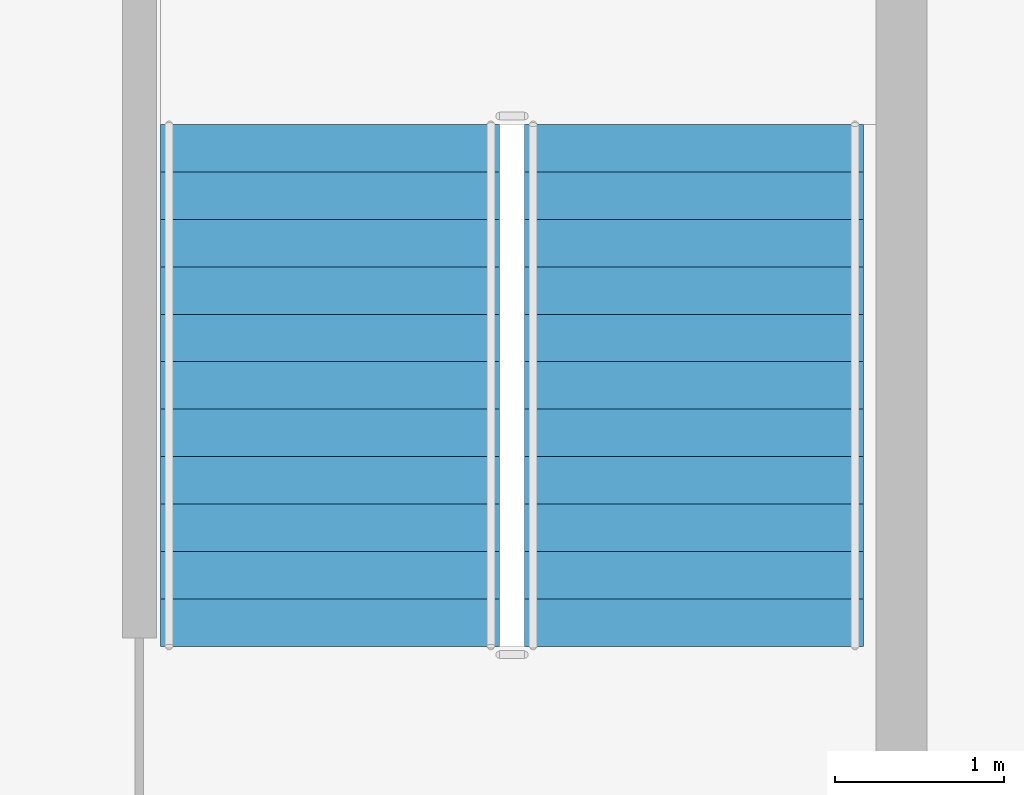
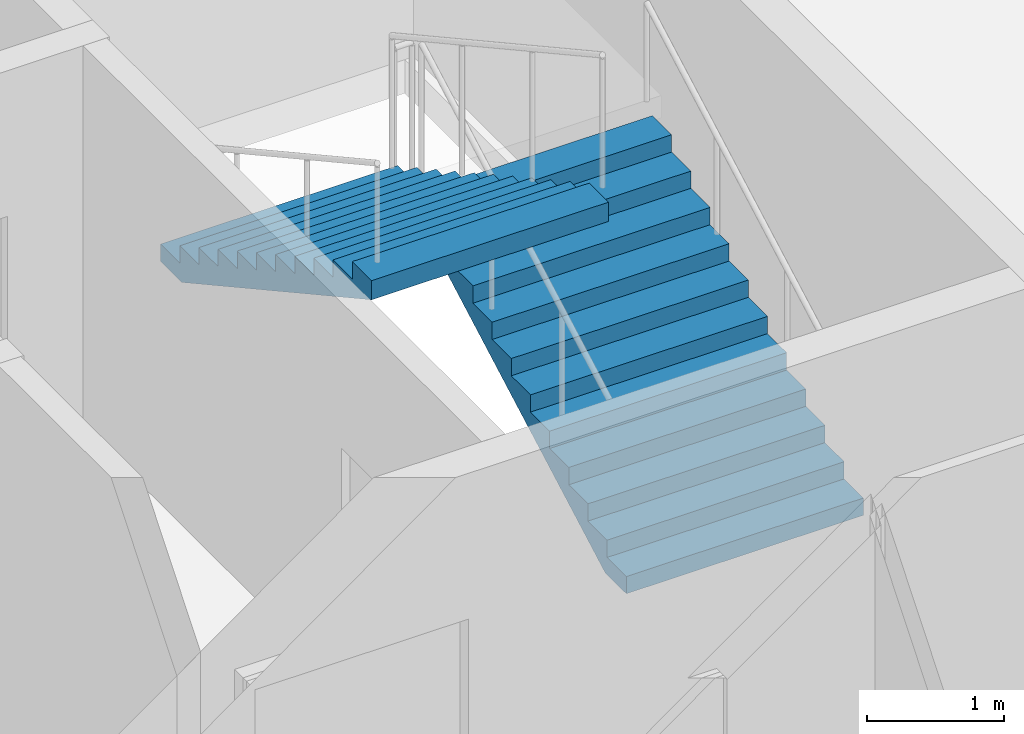
# One storey, part 7 of 10: 2 stair flights, 1 element without a shape of its own.
"""IFC4 building model written with IfcOpenShell, lengths in metres."""

from ifc_helpers import new_model, si_unit, direction, frame, origin, place, context, subcontext, project, spatial, polygons, material, type_object, element, aggregate, save


model = new_model("IFC4")

# Units and contexts
model_context = context("Model", 3, precision=1e-05, world=origin(), true_north=direction((0.0, 1.0)))
body_context = subcontext(model_context, "Body", "Model", "MODEL_VIEW")
ifc_project = project(units=[si_unit("LENGTHUNIT", "METRE"), si_unit("AREAUNIT", "SQUARE_METRE"), si_unit("VOLUMEUNIT", "CUBIC_METRE"), si_unit("PLANEANGLEUNIT", "RADIAN"), si_unit("MASSUNIT", "GRAM", prefix="KILO")], contexts=[model_context])

# Site, building, storey
site_placement = place(None, origin())
site = spatial("IfcSite", under=ifc_project, at=site_placement, CompositionType="ELEMENT")
building_placement = place(site_placement, origin())
building = spatial("IfcBuilding", under=site, at=building_placement, Name="Caravel Reach Hotel and Residences", CompositionType="ELEMENT")
storey_placement = place(building_placement, frame((0.0, 0.0, 290.800048828125)))
storey = spatial("IfcBuildingStorey", under=building, at=storey_placement, Name="L74", CompositionType="ELEMENT", Elevation=290.800048828125)

# Stair, stair flights
ifc_material_1 = material(Name="Concrete C40", Category="concrete")
stair_type = type_object("IfcStairType", Name="Core stair", PredefinedType="HALF_TURN_STAIR", material=ifc_material_1)
stair_placement = place(storey_placement, origin())
stair = element("IfcStair", 1, at=stair_placement, inside=storey, type_object=stair_type, Name="L74 Exit stair B", PredefinedType="HALF_TURN_STAIR")
ifc_material_2 = material(Name="Concrete C40", Category="concrete")
stair_flight_type = type_object("IfcStairFlightType", Name="Core stair flight", PredefinedType="STRAIGHT", material=ifc_material_2)
stair_flight_1_placement = place(storey_placement, frame((43.77490234375, 24.64990234375, 0.0), z_axis=(0.0, 0.0, 1.0), x_axis=(0.0, 1.0, 0.0)))
stair_flight_1 = element("IfcStairFlight", 2, at=stair_flight_1_placement, type_object=stair_flight_type, Name="ST-B flight 1", NumberOfRisers=12, NumberOfTreads=11, PredefinedType="STRAIGHT", RiserHeight=0.154166667, TreadLength=0.28, context=body_context, shape_type="Tessellation", body=[
    polygons([(0.3107950034306102, 1.0, 0.0), (0.3107950034306102, 0.6666666666666667, 0.0), (0.3107950034306102, 0.33333333333333337, 0.0), (0.3107950034306102, 0.0, 0.0), (0.3107950034306102, -0.33333333333333326, 0.0), (0.3107950034306102, -0.6666666666666667, 0.0), (0.3107950034306102, -1.0, 0.0), (3.081, 1.0, 1.524711087717319), (3.081, 0.6666666666666667, 1.524711087717319), (3.081, 0.33333333333333337, 1.524711087717319), (3.081, 0.0, 1.524711087717319), (3.081, -0.33333333333333326, 1.524711087717319), (3.081, -0.6666666666666667, 1.524711087717319), (3.081, -1.0, 1.524711087717319), (3.081, 1.0, 1.695833337), (3.081, 0.6666666666666667, 1.695833337), (3.081, 0.33333333333333337, 1.695833337), (3.081, 0.0, 1.695833337), (3.081, -0.33333333333333326, 1.695833337), (3.081, -0.6666666666666667, 1.695833337), (3.081, -1.0, 1.695833337), (2.8000000000000003, 1.0, 1.695833337), (2.8000000000000003, 0.6666666666666667, 1.695833337), (2.8000000000000003, 0.33333333333333337, 1.695833337), (2.8000000000000003, 0.0, 1.695833337), (2.8000000000000003, -0.33333333333333326, 1.695833337), (2.8000000000000003, -0.6666666666666667, 1.695833337), (2.8000000000000003, -1.0, 1.695833337), (2.8000000000000003, 1.0, 1.5416666700000001), (2.8000000000000003, 0.6666666666666667, 1.5416666700000001), (2.8000000000000003, 0.33333333333333337, 1.5416666700000001), (2.8000000000000003, 0.0, 1.5416666700000001), (2.8000000000000003, -0.33333333333333326, 1.5416666700000001), (2.8000000000000003, -0.6666666666666667, 1.5416666700000001), (2.8000000000000003, -1.0, 1.5416666700000001), (2.5200000000000005, 1.0, 1.5416666700000001), (2.5200000000000005, 0.6666666666666667, 1.5416666700000001), (2.5200000000000005, 0.33333333333333337, 1.5416666700000001), (2.5200000000000005, 0.0, 1.5416666700000001), (2.5200000000000005, -0.33333333333333326, 1.5416666700000001), (2.5200000000000005, -0.6666666666666667, 1.5416666700000001), (2.5200000000000005, -1.0, 1.5416666700000001), (2.5200000000000005, 1.0, 1.387500003), (2.5200000000000005, 0.6666666666666667, 1.387500003), (2.5200000000000005, 0.33333333333333337, 1.387500003), (2.5200000000000005, 0.0, 1.387500003), (2.5200000000000005, -0.33333333333333326, 1.387500003), (2.5200000000000005, -0.6666666666666667, 1.387500003), (2.5200000000000005, -1.0, 1.387500003), (2.24, 1.0, 1.387500003), (2.24, 0.6666666666666667, 1.387500003), (2.24, 0.33333333333333337, 1.387500003), (2.24, 0.0, 1.387500003), (2.24, -0.33333333333333326, 1.387500003), (2.24, -0.6666666666666667, 1.387500003), (2.24, -1.0, 1.387500003), (2.24, 1.0, 1.233333336), (2.24, 0.6666666666666667, 1.233333336), (2.24, 0.33333333333333337, 1.233333336), (2.24, 0.0, 1.233333336), (2.24, -0.33333333333333326, 1.233333336), (2.24, -0.6666666666666667, 1.233333336), (2.24, -1.0, 1.233333336), (1.9600000000000002, 1.0, 1.233333336), (1.9600000000000002, 0.6666666666666667, 1.233333336), (1.9600000000000002, 0.33333333333333337, 1.233333336), (1.9600000000000002, 0.0, 1.233333336), (1.9600000000000002, -0.33333333333333326, 1.233333336), (1.9600000000000002, -0.6666666666666667, 1.233333336), (1.9600000000000002, -1.0, 1.233333336), (1.9600000000000002, 1.0, 1.0791666690000001), (1.9600000000000002, 0.6666666666666667, 1.0791666690000001), (1.9600000000000002, 0.33333333333333337, 1.0791666690000001), (1.9600000000000002, 0.0, 1.0791666690000001), (1.9600000000000002, -0.33333333333333326, 1.0791666690000001), (1.9600000000000002, -0.6666666666666667, 1.0791666690000001), (1.9600000000000002, -1.0, 1.0791666690000001), (1.6800000000000002, 1.0, 1.0791666690000001), (1.6800000000000002, 0.6666666666666667, 1.0791666690000001), (1.6800000000000002, 0.33333333333333337, 1.0791666690000001), (1.6800000000000002, 0.0, 1.0791666690000001), (1.6800000000000002, -0.33333333333333326, 1.0791666690000001), (1.6800000000000002, -0.6666666666666667, 1.0791666690000001), (1.6800000000000002, -1.0, 1.0791666690000001), (1.6800000000000002, 1.0, 0.925000002), (1.6800000000000002, 0.6666666666666667, 0.925000002), (1.6800000000000002, 0.33333333333333337, 0.925000002), (1.6800000000000002, 0.0, 0.925000002), (1.6800000000000002, -0.33333333333333326, 0.925000002), (1.6800000000000002, -0.6666666666666667, 0.925000002), (1.6800000000000002, -1.0, 0.925000002), (1.4000000000000001, 1.0, 0.925000002), (1.4000000000000001, 0.6666666666666667, 0.925000002), (1.4000000000000001, 0.33333333333333337, 0.925000002), (1.4000000000000001, 0.0, 0.925000002), (1.4000000000000001, -0.33333333333333326, 0.925000002), (1.4000000000000001, -0.6666666666666667, 0.925000002), (1.4000000000000001, -1.0, 0.925000002), (1.4000000000000001, 1.0, 0.7708333350000001), (1.4000000000000001, 0.6666666666666667, 0.7708333350000001), (1.4000000000000001, 0.33333333333333337, 0.7708333350000001), (1.4000000000000001, 0.0, 0.7708333350000001), (1.4000000000000001, -0.33333333333333326, 0.7708333350000001), (1.4000000000000001, -0.6666666666666667, 0.7708333350000001), (1.4000000000000001, -1.0, 0.7708333350000001), (1.12, 1.0, 0.7708333350000001), (1.12, 0.6666666666666667, 0.7708333350000001), (1.12, 0.33333333333333337, 0.7708333350000001), (1.12, 0.0, 0.7708333350000001), (1.12, -0.33333333333333326, 0.7708333350000001), (1.12, -0.6666666666666667, 0.7708333350000001), (1.12, -1.0, 0.7708333350000001), (1.12, 1.0, 0.616666668), (1.12, 0.6666666666666667, 0.616666668), (1.12, 0.33333333333333337, 0.616666668), (1.12, 0.0, 0.616666668), (1.12, -0.33333333333333326, 0.616666668), (1.12, -0.6666666666666667, 0.616666668), (1.12, -1.0, 0.616666668), (0.8400000000000001, 1.0, 0.616666668), (0.8400000000000001, 0.6666666666666667, 0.616666668), (0.8400000000000001, 0.33333333333333337, 0.616666668), (0.8400000000000001, 0.0, 0.616666668), (0.8400000000000001, -0.33333333333333326, 0.616666668), (0.8400000000000001, -0.6666666666666667, 0.616666668), (0.8400000000000001, -1.0, 0.616666668), (0.8400000000000001, 1.0, 0.462500001), (0.8400000000000001, 0.6666666666666667, 0.462500001), (0.8400000000000001, 0.33333333333333337, 0.462500001), (0.8400000000000001, 0.0, 0.462500001), (0.8400000000000001, -0.33333333333333326, 0.462500001), (0.8400000000000001, -0.6666666666666667, 0.462500001), (0.8400000000000001, -1.0, 0.462500001), (0.56, 1.0, 0.462500001), (0.56, 0.6666666666666667, 0.462500001), (0.56, 0.33333333333333337, 0.462500001), (0.56, 0.0, 0.462500001), (0.56, -0.33333333333333326, 0.462500001), (0.56, -0.6666666666666667, 0.462500001), (0.56, -1.0, 0.462500001), (0.56, 1.0, 0.308333334), (0.56, 0.6666666666666667, 0.308333334), (0.56, 0.33333333333333337, 0.308333334), (0.56, 0.0, 0.308333334), (0.56, -0.33333333333333326, 0.308333334), (0.56, -0.6666666666666667, 0.308333334), (0.56, -1.0, 0.308333334), (0.28, 1.0, 0.308333334), (0.28, 0.6666666666666667, 0.308333334), (0.28, 0.33333333333333337, 0.308333334), (0.28, 0.0, 0.308333334), (0.28, -0.33333333333333326, 0.308333334), (0.28, -0.6666666666666667, 0.308333334), (0.28, -1.0, 0.308333334), (0.28, 1.0, 0.154166667), (0.28, 0.6666666666666667, 0.154166667), (0.28, 0.33333333333333337, 0.154166667), (0.28, 0.0, 0.154166667), (0.28, -0.33333333333333326, 0.154166667), (0.28, -0.6666666666666667, 0.154166667), (0.28, -1.0, 0.154166667), (-0.001, 1.0, 0.154166667), (-0.001, 0.6666666666666667, 0.154166667), (-0.001, 0.33333333333333337, 0.154166667), (-0.001, 0.0, 0.154166667), (-0.001, -0.33333333333333326, 0.154166667), (-0.001, -0.6666666666666667, 0.154166667), (-0.001, -1.0, 0.154166667), (-0.001, 1.0, 0.0), (-0.001, 0.6666666666666667, 0.0), (-0.001, 0.33333333333333337, 0.0), (-0.001, 0.0, 0.0), (-0.001, -0.33333333333333326, 0.0), (-0.001, -0.6666666666666667, 0.0), (-0.001, -1.0, 0.0)], [[[169, 162, 155, 148, 141, 134, 127, 120, 113, 106, 99, 92, 85, 78, 71, 64, 57, 50, 43, 36, 29, 22, 15, 8, 1]], [[7, 14, 21, 28, 35, 42, 49, 56, 63, 70, 77, 84, 91, 98, 105, 112, 119, 126, 133, 140, 147, 154, 161, 168, 175]], [[1, 8, 9, 2]], [[2, 9, 10, 3]], [[3, 10, 11, 4]], [[4, 11, 12, 5]], [[5, 12, 13, 6]], [[6, 13, 14, 7]], [[8, 15, 16, 9]], [[9, 16, 17, 10]], [[10, 17, 18, 11]], [[11, 18, 19, 12]], [[12, 19, 20, 13]], [[13, 20, 21, 14]], [[15, 22, 23, 16]], [[16, 23, 24, 17]], [[17, 24, 25, 18]], [[18, 25, 26, 19]], [[19, 26, 27, 20]], [[20, 27, 28, 21]], [[22, 29, 30, 23]], [[23, 30, 31, 24]], [[24, 31, 32, 25]], [[25, 32, 33, 26]], [[26, 33, 34, 27]], [[27, 34, 35, 28]], [[29, 36, 37, 30]], [[30, 37, 38, 31]], [[31, 38, 39, 32]], [[32, 39, 40, 33]], [[33, 40, 41, 34]], [[34, 41, 42, 35]], [[36, 43, 44, 37]], [[37, 44, 45, 38]], [[38, 45, 46, 39]], [[39, 46, 47, 40]], [[40, 47, 48, 41]], [[41, 48, 49, 42]], [[43, 50, 51, 44]], [[44, 51, 52, 45]], [[45, 52, 53, 46]], [[46, 53, 54, 47]], [[47, 54, 55, 48]], [[48, 55, 56, 49]], [[50, 57, 58, 51]], [[51, 58, 59, 52]], [[52, 59, 60, 53]], [[53, 60, 61, 54]], [[54, 61, 62, 55]], [[55, 62, 63, 56]], [[57, 64, 65, 58]], [[58, 65, 66, 59]], [[59, 66, 67, 60]], [[60, 67, 68, 61]], [[61, 68, 69, 62]], [[62, 69, 70, 63]], [[64, 71, 72, 65]], [[65, 72, 73, 66]], [[66, 73, 74, 67]], [[67, 74, 75, 68]], [[68, 75, 76, 69]], [[69, 76, 77, 70]], [[71, 78, 79, 72]], [[72, 79, 80, 73]], [[73, 80, 81, 74]], [[74, 81, 82, 75]], [[75, 82, 83, 76]], [[76, 83, 84, 77]], [[78, 85, 86, 79]], [[79, 86, 87, 80]], [[80, 87, 88, 81]], [[81, 88, 89, 82]], [[82, 89, 90, 83]], [[83, 90, 91, 84]], [[85, 92, 93, 86]], [[86, 93, 94, 87]], [[87, 94, 95, 88]], [[88, 95, 96, 89]], [[89, 96, 97, 90]], [[90, 97, 98, 91]], [[92, 99, 100, 93]], [[93, 100, 101, 94]], [[94, 101, 102, 95]], [[95, 102, 103, 96]], [[96, 103, 104, 97]], [[97, 104, 105, 98]], [[99, 106, 107, 100]], [[100, 107, 108, 101]], [[101, 108, 109, 102]], [[102, 109, 110, 103]], [[103, 110, 111, 104]], [[104, 111, 112, 105]], [[106, 113, 114, 107]], [[107, 114, 115, 108]], [[108, 115, 116, 109]], [[109, 116, 117, 110]], [[110, 117, 118, 111]], [[111, 118, 119, 112]], [[113, 120, 121, 114]], [[114, 121, 122, 115]], [[115, 122, 123, 116]], [[116, 123, 124, 117]], [[117, 124, 125, 118]], [[118, 125, 126, 119]], [[120, 127, 128, 121]], [[121, 128, 129, 122]], [[122, 129, 130, 123]], [[123, 130, 131, 124]], [[124, 131, 132, 125]], [[125, 132, 133, 126]], [[127, 134, 135, 128]], [[128, 135, 136, 129]], [[129, 136, 137, 130]], [[130, 137, 138, 131]], [[131, 138, 139, 132]], [[132, 139, 140, 133]], [[134, 141, 142, 135]], [[135, 142, 143, 136]], [[136, 143, 144, 137]], [[137, 144, 145, 138]], [[138, 145, 146, 139]], [[139, 146, 147, 140]], [[141, 148, 149, 142]], [[142, 149, 150, 143]], [[143, 150, 151, 144]], [[144, 151, 152, 145]], [[145, 152, 153, 146]], [[146, 153, 154, 147]], [[148, 155, 156, 149]], [[149, 156, 157, 150]], [[150, 157, 158, 151]], [[151, 158, 159, 152]], [[152, 159, 160, 153]], [[153, 160, 161, 154]], [[155, 162, 163, 156]], [[156, 163, 164, 157]], [[157, 164, 165, 158]], [[158, 165, 166, 159]], [[159, 166, 167, 160]], [[160, 167, 168, 161]], [[162, 169, 170, 163]], [[163, 170, 171, 164]], [[164, 171, 172, 165]], [[165, 172, 173, 166]], [[166, 173, 174, 167]], [[167, 174, 175, 168]], [[169, 1, 2, 170]], [[170, 2, 3, 171]], [[171, 3, 4, 172]], [[172, 4, 5, 173]], [[173, 5, 6, 174]], [[174, 6, 7, 175]]], closed=True),
])
stair_flight_2_placement = place(storey_placement, frame((41.625, 27.72998046875, 1.849853515625), z_axis=(0.0, 0.0, 1.0), x_axis=(0.0, -1.0, 0.0)))
stair_flight_2 = element("IfcStairFlight", 3, at=stair_flight_2_placement, type_object=stair_flight_type, Name="ST-B flight 2", NumberOfRisers=12, NumberOfTreads=11, PredefinedType="STRAIGHT", RiserHeight=0.154166667, TreadLength=0.28, context=body_context, shape_type="Tessellation", body=[
    polygons([(0.3107950034306102, 1.0, 0.0), (0.3107950034306102, 0.6666666666666667, 0.0), (0.3107950034306102, 0.33333333333333337, 0.0), (0.3107950034306102, 0.0, 0.0), (0.3107950034306102, -0.33333333333333326, 0.0), (0.3107950034306102, -0.6666666666666667, 0.0), (0.3107950034306102, -1.0, 0.0), (3.081, 1.0, 1.524711087717319), (3.081, 0.6666666666666667, 1.524711087717319), (3.081, 0.33333333333333337, 1.524711087717319), (3.081, 0.0, 1.524711087717319), (3.081, -0.33333333333333326, 1.524711087717319), (3.081, -0.6666666666666667, 1.524711087717319), (3.081, -1.0, 1.524711087717319), (3.081, 1.0, 1.695833337), (3.081, 0.6666666666666667, 1.695833337), (3.081, 0.33333333333333337, 1.695833337), (3.081, 0.0, 1.695833337), (3.081, -0.33333333333333326, 1.695833337), (3.081, -0.6666666666666667, 1.695833337), (3.081, -1.0, 1.695833337), (2.8000000000000003, 1.0, 1.695833337), (2.8000000000000003, 0.6666666666666667, 1.695833337), (2.8000000000000003, 0.33333333333333337, 1.695833337), (2.8000000000000003, 0.0, 1.695833337), (2.8000000000000003, -0.33333333333333326, 1.695833337), (2.8000000000000003, -0.6666666666666667, 1.695833337), (2.8000000000000003, -1.0, 1.695833337), (2.8000000000000003, 1.0, 1.5416666700000001), (2.8000000000000003, 0.6666666666666667, 1.5416666700000001), (2.8000000000000003, 0.33333333333333337, 1.5416666700000001), (2.8000000000000003, 0.0, 1.5416666700000001), (2.8000000000000003, -0.33333333333333326, 1.5416666700000001), (2.8000000000000003, -0.6666666666666667, 1.5416666700000001), (2.8000000000000003, -1.0, 1.5416666700000001), (2.5200000000000005, 1.0, 1.5416666700000001), (2.5200000000000005, 0.6666666666666667, 1.5416666700000001), (2.5200000000000005, 0.33333333333333337, 1.5416666700000001), (2.5200000000000005, 0.0, 1.5416666700000001), (2.5200000000000005, -0.33333333333333326, 1.5416666700000001), (2.5200000000000005, -0.6666666666666667, 1.5416666700000001), (2.5200000000000005, -1.0, 1.5416666700000001), (2.5200000000000005, 1.0, 1.387500003), (2.5200000000000005, 0.6666666666666667, 1.387500003), (2.5200000000000005, 0.33333333333333337, 1.387500003), (2.5200000000000005, 0.0, 1.387500003), (2.5200000000000005, -0.33333333333333326, 1.387500003), (2.5200000000000005, -0.6666666666666667, 1.387500003), (2.5200000000000005, -1.0, 1.387500003), (2.24, 1.0, 1.387500003), (2.24, 0.6666666666666667, 1.387500003), (2.24, 0.33333333333333337, 1.387500003), (2.24, 0.0, 1.387500003), (2.24, -0.33333333333333326, 1.387500003), (2.24, -0.6666666666666667, 1.387500003), (2.24, -1.0, 1.387500003), (2.24, 1.0, 1.233333336), (2.24, 0.6666666666666667, 1.233333336), (2.24, 0.33333333333333337, 1.233333336), (2.24, 0.0, 1.233333336), (2.24, -0.33333333333333326, 1.233333336), (2.24, -0.6666666666666667, 1.233333336), (2.24, -1.0, 1.233333336), (1.9600000000000002, 1.0, 1.233333336), (1.9600000000000002, 0.6666666666666667, 1.233333336), (1.9600000000000002, 0.33333333333333337, 1.233333336), (1.9600000000000002, 0.0, 1.233333336), (1.9600000000000002, -0.33333333333333326, 1.233333336), (1.9600000000000002, -0.6666666666666667, 1.233333336), (1.9600000000000002, -1.0, 1.233333336), (1.9600000000000002, 1.0, 1.0791666690000001), (1.9600000000000002, 0.6666666666666667, 1.0791666690000001), (1.9600000000000002, 0.33333333333333337, 1.0791666690000001), (1.9600000000000002, 0.0, 1.0791666690000001), (1.9600000000000002, -0.33333333333333326, 1.0791666690000001), (1.9600000000000002, -0.6666666666666667, 1.0791666690000001), (1.9600000000000002, -1.0, 1.0791666690000001), (1.6800000000000002, 1.0, 1.0791666690000001), (1.6800000000000002, 0.6666666666666667, 1.0791666690000001), (1.6800000000000002, 0.33333333333333337, 1.0791666690000001), (1.6800000000000002, 0.0, 1.0791666690000001), (1.6800000000000002, -0.33333333333333326, 1.0791666690000001), (1.6800000000000002, -0.6666666666666667, 1.0791666690000001), (1.6800000000000002, -1.0, 1.0791666690000001), (1.6800000000000002, 1.0, 0.925000002), (1.6800000000000002, 0.6666666666666667, 0.925000002), (1.6800000000000002, 0.33333333333333337, 0.925000002), (1.6800000000000002, 0.0, 0.925000002), (1.6800000000000002, -0.33333333333333326, 0.925000002), (1.6800000000000002, -0.6666666666666667, 0.925000002), (1.6800000000000002, -1.0, 0.925000002), (1.4000000000000001, 1.0, 0.925000002), (1.4000000000000001, 0.6666666666666667, 0.925000002), (1.4000000000000001, 0.33333333333333337, 0.925000002), (1.4000000000000001, 0.0, 0.925000002), (1.4000000000000001, -0.33333333333333326, 0.925000002), (1.4000000000000001, -0.6666666666666667, 0.925000002), (1.4000000000000001, -1.0, 0.925000002), (1.4000000000000001, 1.0, 0.7708333350000001), (1.4000000000000001, 0.6666666666666667, 0.7708333350000001), (1.4000000000000001, 0.33333333333333337, 0.7708333350000001), (1.4000000000000001, 0.0, 0.7708333350000001), (1.4000000000000001, -0.33333333333333326, 0.7708333350000001), (1.4000000000000001, -0.6666666666666667, 0.7708333350000001), (1.4000000000000001, -1.0, 0.7708333350000001), (1.12, 1.0, 0.7708333350000001), (1.12, 0.6666666666666667, 0.7708333350000001), (1.12, 0.33333333333333337, 0.7708333350000001), (1.12, 0.0, 0.7708333350000001), (1.12, -0.33333333333333326, 0.7708333350000001), (1.12, -0.6666666666666667, 0.7708333350000001), (1.12, -1.0, 0.7708333350000001), (1.12, 1.0, 0.616666668), (1.12, 0.6666666666666667, 0.616666668), (1.12, 0.33333333333333337, 0.616666668), (1.12, 0.0, 0.616666668), (1.12, -0.33333333333333326, 0.616666668), (1.12, -0.6666666666666667, 0.616666668), (1.12, -1.0, 0.616666668), (0.8400000000000001, 1.0, 0.616666668), (0.8400000000000001, 0.6666666666666667, 0.616666668), (0.8400000000000001, 0.33333333333333337, 0.616666668), (0.8400000000000001, 0.0, 0.616666668), (0.8400000000000001, -0.33333333333333326, 0.616666668), (0.8400000000000001, -0.6666666666666667, 0.616666668), (0.8400000000000001, -1.0, 0.616666668), (0.8400000000000001, 1.0, 0.462500001), (0.8400000000000001, 0.6666666666666667, 0.462500001), (0.8400000000000001, 0.33333333333333337, 0.462500001), (0.8400000000000001, 0.0, 0.462500001), (0.8400000000000001, -0.33333333333333326, 0.462500001), (0.8400000000000001, -0.6666666666666667, 0.462500001), (0.8400000000000001, -1.0, 0.462500001), (0.56, 1.0, 0.462500001), (0.56, 0.6666666666666667, 0.462500001), (0.56, 0.33333333333333337, 0.462500001), (0.56, 0.0, 0.462500001), (0.56, -0.33333333333333326, 0.462500001), (0.56, -0.6666666666666667, 0.462500001), (0.56, -1.0, 0.462500001), (0.56, 1.0, 0.308333334), (0.56, 0.6666666666666667, 0.308333334), (0.56, 0.33333333333333337, 0.308333334), (0.56, 0.0, 0.308333334), (0.56, -0.33333333333333326, 0.308333334), (0.56, -0.6666666666666667, 0.308333334), (0.56, -1.0, 0.308333334), (0.28, 1.0, 0.308333334), (0.28, 0.6666666666666667, 0.308333334), (0.28, 0.33333333333333337, 0.308333334), (0.28, 0.0, 0.308333334), (0.28, -0.33333333333333326, 0.308333334), (0.28, -0.6666666666666667, 0.308333334), (0.28, -1.0, 0.308333334), (0.28, 1.0, 0.154166667), (0.28, 0.6666666666666667, 0.154166667), (0.28, 0.33333333333333337, 0.154166667), (0.28, 0.0, 0.154166667), (0.28, -0.33333333333333326, 0.154166667), (0.28, -0.6666666666666667, 0.154166667), (0.28, -1.0, 0.154166667), (-0.001, 1.0, 0.154166667), (-0.001, 0.6666666666666667, 0.154166667), (-0.001, 0.33333333333333337, 0.154166667), (-0.001, 0.0, 0.154166667), (-0.001, -0.33333333333333326, 0.154166667), (-0.001, -0.6666666666666667, 0.154166667), (-0.001, -1.0, 0.154166667), (-0.001, 1.0, 0.0), (-0.001, 0.6666666666666667, 0.0), (-0.001, 0.33333333333333337, 0.0), (-0.001, 0.0, 0.0), (-0.001, -0.33333333333333326, 0.0), (-0.001, -0.6666666666666667, 0.0), (-0.001, -1.0, 0.0)], [[[169, 162, 155, 148, 141, 134, 127, 120, 113, 106, 99, 92, 85, 78, 71, 64, 57, 50, 43, 36, 29, 22, 15, 8, 1]], [[7, 14, 21, 28, 35, 42, 49, 56, 63, 70, 77, 84, 91, 98, 105, 112, 119, 126, 133, 140, 147, 154, 161, 168, 175]], [[1, 8, 9, 2]], [[2, 9, 10, 3]], [[3, 10, 11, 4]], [[4, 11, 12, 5]], [[5, 12, 13, 6]], [[6, 13, 14, 7]], [[8, 15, 16, 9]], [[9, 16, 17, 10]], [[10, 17, 18, 11]], [[11, 18, 19, 12]], [[12, 19, 20, 13]], [[13, 20, 21, 14]], [[15, 22, 23, 16]], [[16, 23, 24, 17]], [[17, 24, 25, 18]], [[18, 25, 26, 19]], [[19, 26, 27, 20]], [[20, 27, 28, 21]], [[22, 29, 30, 23]], [[23, 30, 31, 24]], [[24, 31, 32, 25]], [[25, 32, 33, 26]], [[26, 33, 34, 27]], [[27, 34, 35, 28]], [[29, 36, 37, 30]], [[30, 37, 38, 31]], [[31, 38, 39, 32]], [[32, 39, 40, 33]], [[33, 40, 41, 34]], [[34, 41, 42, 35]], [[36, 43, 44, 37]], [[37, 44, 45, 38]], [[38, 45, 46, 39]], [[39, 46, 47, 40]], [[40, 47, 48, 41]], [[41, 48, 49, 42]], [[43, 50, 51, 44]], [[44, 51, 52, 45]], [[45, 52, 53, 46]], [[46, 53, 54, 47]], [[47, 54, 55, 48]], [[48, 55, 56, 49]], [[50, 57, 58, 51]], [[51, 58, 59, 52]], [[52, 59, 60, 53]], [[53, 60, 61, 54]], [[54, 61, 62, 55]], [[55, 62, 63, 56]], [[57, 64, 65, 58]], [[58, 65, 66, 59]], [[59, 66, 67, 60]], [[60, 67, 68, 61]], [[61, 68, 69, 62]], [[62, 69, 70, 63]], [[64, 71, 72, 65]], [[65, 72, 73, 66]], [[66, 73, 74, 67]], [[67, 74, 75, 68]], [[68, 75, 76, 69]], [[69, 76, 77, 70]], [[71, 78, 79, 72]], [[72, 79, 80, 73]], [[73, 80, 81, 74]], [[74, 81, 82, 75]], [[75, 82, 83, 76]], [[76, 83, 84, 77]], [[78, 85, 86, 79]], [[79, 86, 87, 80]], [[80, 87, 88, 81]], [[81, 88, 89, 82]], [[82, 89, 90, 83]], [[83, 90, 91, 84]], [[85, 92, 93, 86]], [[86, 93, 94, 87]], [[87, 94, 95, 88]], [[88, 95, 96, 89]], [[89, 96, 97, 90]], [[90, 97, 98, 91]], [[92, 99, 100, 93]], [[93, 100, 101, 94]], [[94, 101, 102, 95]], [[95, 102, 103, 96]], [[96, 103, 104, 97]], [[97, 104, 105, 98]], [[99, 106, 107, 100]], [[100, 107, 108, 101]], [[101, 108, 109, 102]], [[102, 109, 110, 103]], [[103, 110, 111, 104]], [[104, 111, 112, 105]], [[106, 113, 114, 107]], [[107, 114, 115, 108]], [[108, 115, 116, 109]], [[109, 116, 117, 110]], [[110, 117, 118, 111]], [[111, 118, 119, 112]], [[113, 120, 121, 114]], [[114, 121, 122, 115]], [[115, 122, 123, 116]], [[116, 123, 124, 117]], [[117, 124, 125, 118]], [[118, 125, 126, 119]], [[120, 127, 128, 121]], [[121, 128, 129, 122]], [[122, 129, 130, 123]], [[123, 130, 131, 124]], [[124, 131, 132, 125]], [[125, 132, 133, 126]], [[127, 134, 135, 128]], [[128, 135, 136, 129]], [[129, 136, 137, 130]], [[130, 137, 138, 131]], [[131, 138, 139, 132]], [[132, 139, 140, 133]], [[134, 141, 142, 135]], [[135, 142, 143, 136]], [[136, 143, 144, 137]], [[137, 144, 145, 138]], [[138, 145, 146, 139]], [[139, 146, 147, 140]], [[141, 148, 149, 142]], [[142, 149, 150, 143]], [[143, 150, 151, 144]], [[144, 151, 152, 145]], [[145, 152, 153, 146]], [[146, 153, 154, 147]], [[148, 155, 156, 149]], [[149, 156, 157, 150]], [[150, 157, 158, 151]], [[151, 158, 159, 152]], [[152, 159, 160, 153]], [[153, 160, 161, 154]], [[155, 162, 163, 156]], [[156, 163, 164, 157]], [[157, 164, 165, 158]], [[158, 165, 166, 159]], [[159, 166, 167, 160]], [[160, 167, 168, 161]], [[162, 169, 170, 163]], [[163, 170, 171, 164]], [[164, 171, 172, 165]], [[165, 172, 173, 166]], [[166, 173, 174, 167]], [[167, 174, 175, 168]], [[169, 1, 2, 170]], [[170, 2, 3, 171]], [[171, 3, 4, 172]], [[172, 4, 5, 173]], [[173, 5, 6, 174]], [[174, 6, 7, 175]]], closed=True),
])
aggregate(stair, [stair_flight_1, stair_flight_2])

save(model, "model.ifc")
